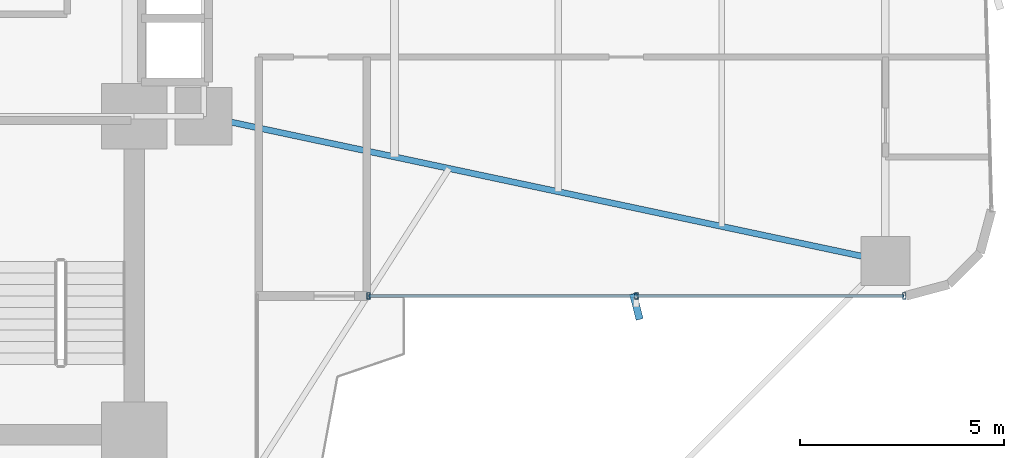
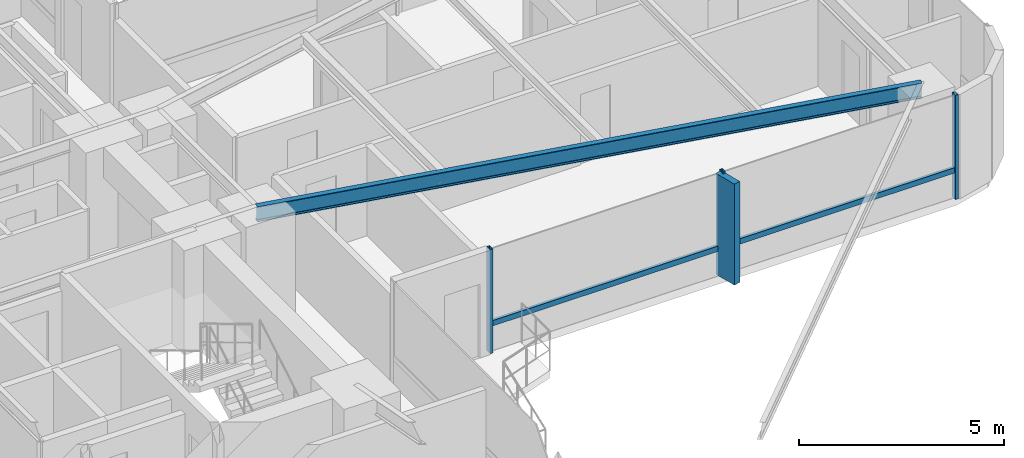
# One storey, part 14 of 26: 6 members, 1 beam, 1 element without a shape of its own.
"""IFC4 building model written with IfcOpenShell, lengths in metres."""

import ifcopenshell
import ifcopenshell.guid

model = None  # the IFC model being written
_history = None  # IfcOwnerHistory: only IFC2X3 demands one
_inside = {}  # id of a spatial element -> (the spatial element, [elements in it])
_under = {}  # id of a project, library or spatial element -> (it, [spatial elements below it])
_declared = {}  # id of a project -> (the project, [libraries it declares])
_typed = {}  # id of a type object -> (the type object, [elements of that type])
_made_of = {}  # id of a material, layer set ... -> (it, [elements and type objects made of it])


def new_model(schema):
    """Start an empty IFC model of exactly this schema.

    Asked for "IFC4X3", IfcOpenShell would pick the latest addendum, in which some entities
    have other attributes; the version numbers below select the first issue.
    IFC2X3 requires an IfcOwnerHistory on every rooted entity: one is made here for all.
    """
    global model, _history
    if schema == "IFC4X3":
        model = ifcopenshell.file(schema_version=(4, 3, 0, 0))
    else:
        model = ifcopenshell.file(schema=schema)
    _inside.clear()
    _under.clear()
    _declared.clear()
    _typed.clear()
    _made_of.clear()
    _history = None
    if model.schema == "IFC2X3":
        org = make("IfcOrganization", Name="unknown")
        user = make(
            "IfcPersonAndOrganization",
            ThePerson=make("IfcPerson", FamilyName="unknown"),
            TheOrganization=org,
        )
        app = make(
            "IfcApplication",
            ApplicationDeveloper=org,
            Version="unknown",
            ApplicationFullName="unknown",
            ApplicationIdentifier="unknown",
        )
        _history = make(
            "IfcOwnerHistory",
            OwningUser=user,
            OwningApplication=app,
            ChangeAction="ADDED",
            CreationDate=0,
        )
    return model


def make(cls, **values):
    """One entity of the class cls with the attributes given. An attribute that is None is left unset."""
    return model.create_entity(
        cls, **{name: value for name, value in values.items() if value is not None}
    )


def rooted(cls, **values):
    """An entity with a GlobalId (a new one), such as an element, a storey or a relation."""
    return make(cls, GlobalId=ifcopenshell.guid.new(), OwnerHistory=_history, **values)


def si_unit(unit_type, name, prefix=None):
    """IfcSIUnit, for example si_unit("LENGTHUNIT", "METRE", prefix="MILLI")."""
    return make("IfcSIUnit", UnitType=unit_type, Prefix=prefix, Name=name)


def assignment(units):
    """IfcUnitAssignment: the units of a project."""
    return None if units is None else make("IfcUnitAssignment", Units=units)


def point(xyz):
    """IfcCartesianPoint."""
    return None if xyz is None else make("IfcCartesianPoint", Coordinates=xyz)


def direction(xyz):
    """IfcDirection."""
    return None if xyz is None else make("IfcDirection", DirectionRatios=xyz)


def frame(location, z_axis=None, x_axis=None):
    """IfcAxis2Placement3D, a coordinate frame: its origin and axes. An axis left out is left unset."""
    return make(
        "IfcAxis2Placement3D",
        Location=point(location),
        Axis=direction(z_axis),
        RefDirection=direction(x_axis),
    )


def frame_2d(location, x_axis=None):
    """IfcAxis2Placement2D, a coordinate frame in the plane: its origin and x axis."""
    return make(
        "IfcAxis2Placement2D", Location=point(location), RefDirection=direction(x_axis)
    )


def origin():
    """The frame at (0, 0, 0) with its axes left unset."""
    return frame((0.0, 0.0, 0.0))


def origin_2d():
    """The frame at (0, 0) in the plane with its x axis left unset."""
    return frame_2d((0.0, 0.0))


def place(relative_to, where):
    """IfcLocalPlacement: puts the frame where relative to a parent placement (None: the world)."""
    return make(
        "IfcLocalPlacement", PlacementRelTo=relative_to, RelativePlacement=where
    )


def context(
    kind, dimensions, precision=None, world=None, true_north=None, identifier=None
):
    """IfcGeometricRepresentationContext, for example the 3D "Model" context."""
    return make(
        "IfcGeometricRepresentationContext",
        ContextIdentifier=identifier,
        ContextType=kind,
        CoordinateSpaceDimension=dimensions,
        Precision=precision,
        WorldCoordinateSystem=world,
        TrueNorth=true_north,
    )


def subcontext(parent, identifier, kind, view, scale=None):
    """IfcGeometricRepresentationSubContext, for example "Body" below "Model"."""
    return make(
        "IfcGeometricRepresentationSubContext",
        ContextIdentifier=identifier,
        ContextType=kind,
        ParentContext=parent,
        TargetScale=scale,
        TargetView=view,
    )


def project(units=None, contexts=None):
    """IfcProject with its units and contexts."""
    return rooted(
        "IfcProject",
        Name="project",
        RepresentationContexts=contexts,
        UnitsInContext=assignment(units),
    )


def spatial(cls, under=None, at=None, **own):
    """A site, building, storey or space (cls), placed at a placement, below another one or the project."""
    s = rooted(cls, ObjectPlacement=at, **own)
    if under is not None:
        _under.setdefault(under.id(), (under, []))[1].append(s)
    return s


def profile(cls, at=None, kind="AREA", **sizes):
    """A parametric profile (cls). Its sizes go by their IFC names, for example OverallWidth=200.0."""
    return make(cls, ProfileType=kind, Position=at, **sizes)


def rectangle(**sizes):
    """IfcRectangleProfileDef."""
    return profile("IfcRectangleProfileDef", **sizes)


def hollow_rectangle(**sizes):
    """IfcRectangleHollowProfileDef."""
    return profile("IfcRectangleHollowProfileDef", **sizes)


def i_section(**sizes):
    """IfcIShapeProfileDef."""
    return profile("IfcIShapeProfileDef", **sizes)


def extrude(swept, where, along, depth):
    """IfcExtrudedAreaSolid: the profile swept, set in the frame where, extruded along a direction by depth."""
    return make(
        "IfcExtrudedAreaSolid",
        SweptArea=swept,
        Position=where,
        ExtrudedDirection=direction(along),
        Depth=depth,
    )


def shape(context_of_items, identifier, shape_type, items):
    """IfcShapeRepresentation: the items that make up one representation, for example the "Body"."""
    return make(
        "IfcShapeRepresentation",
        ContextOfItems=context_of_items,
        RepresentationIdentifier=identifier,
        RepresentationType=shape_type,
        Items=items,
    )


def source(mapping_origin, context_of_items, identifier, shape_type, items):
    """IfcRepresentationMap: a shape defined once, which mapped items show again and again."""
    return make(
        "IfcRepresentationMap",
        MappingOrigin=mapping_origin,
        MappedRepresentation=shape(context_of_items, identifier, shape_type, items),
    )


def transform(
    local_origin,
    x_axis=None,
    y_axis=None,
    z_axis=None,
    scale=None,
    scale2=None,
    scale3=None,
    uniform=True,
):
    """IfcCartesianTransformationOperator3D, or its non-uniform kind. x_axis, y_axis, z_axis: its Axis1, 2, 3."""
    if uniform:
        return make(
            "IfcCartesianTransformationOperator3D",
            Axis1=direction(x_axis),
            Axis2=direction(y_axis),
            LocalOrigin=point(local_origin),
            Scale=scale,
            Axis3=direction(z_axis),
        )
    return make(
        "IfcCartesianTransformationOperator3DnonUniform",
        Axis1=direction(x_axis),
        Axis2=direction(y_axis),
        LocalOrigin=point(local_origin),
        Scale=scale,
        Axis3=direction(z_axis),
        Scale2=scale2,
        Scale3=scale3,
    )


def mapped(mapping_source, mapping_target):
    """IfcMappedItem: shows the shape of a source again, moved by a transform."""
    return make(
        "IfcMappedItem", MappingSource=mapping_source, MappingTarget=mapping_target
    )


def material(Name=None, Category=None):
    """IfcMaterial."""
    return make("IfcMaterial", Name=Name, Category=Category)


def material_profile(
    of_material, cross_section, Name=None, Category=None, Priority=None
):
    """IfcMaterialProfile: a cross section and its material."""
    return make(
        "IfcMaterialProfile",
        Name=Name,
        Material=of_material,
        Profile=cross_section,
        Priority=Priority,
        Category=Category,
    )


def profile_set(profiles, Name=None, composite=None):
    """IfcMaterialProfileSet."""
    return make(
        "IfcMaterialProfileSet",
        Name=Name,
        MaterialProfiles=profiles,
        CompositeProfile=composite,
    )


def made_of(thing, what):
    """Note that an element or type object is made of a material, layer set ...; save() writes the relation."""
    if what is not None:
        _made_of.setdefault(what.id(), (what, []))[1].append(thing)
    return thing


def type_object(cls, material=None, **own):
    """A type object (cls), such as IfcWallType, which elements share."""
    return made_of(rooted(cls, **own), material)


def element(
    cls,
    number,
    at=None,
    inside=None,
    cuts=None,
    type_object=None,
    material=None,
    context=None,
    identifier="Body",
    shape_type=None,
    held_by="IfcProductDefinitionShape",
    body=None,
    shapes=None,
    **own,
):
    """One element of the class cls, such as IfcWall. Its Tag is "e" and its number.

    at: its placement. inside: the storey or other place that contains it. cuts: it is an
    opening in that element (IfcRelVoidsElement). A single representation is given by context,
    identifier, shape_type and body (its items); several are given by shapes. held_by: the class
    of the entity that holds the representations. save() writes the other relations.
    """
    e = rooted(cls, Tag="e%d" % number, ObjectPlacement=at, **own)
    if body is not None:
        shapes = [shape(context, identifier, shape_type, body)]
    if shapes is not None:
        e.Representation = make(held_by, Representations=shapes)
    if inside is not None:
        _inside.setdefault(inside.id(), (inside, []))[1].append(e)
    if cuts is not None:
        rooted(
            "IfcRelVoidsElement", RelatingBuildingElement=cuts, RelatedOpeningElement=e
        )
    if type_object is not None:
        _typed.setdefault(type_object.id(), (type_object, []))[1].append(e)
    return made_of(e, material)


def aggregate(whole, parts):
    """IfcRelAggregates: a whole, such as a stair, and the parts it consists of."""
    return rooted("IfcRelAggregates", RelatingObject=whole, RelatedObjects=parts)


def save(model, path):
    """Write the relations noted so far, then the file.

    IfcRelAggregates (storeys below a building ...), IfcRelContainedInSpatialStructure (elements
    in a storey), IfcRelDefinesByType, IfcRelAssociatesMaterial and IfcRelDeclares: one each for
    every whole, place, type object, material and project.
    """
    for whole, parts in _under.values():
        aggregate(whole, parts)
    for where, things in _inside.values():
        rooted(
            "IfcRelContainedInSpatialStructure",
            RelatedElements=things,
            RelatingStructure=where,
        )
    for kind, things in _typed.values():
        rooted("IfcRelDefinesByType", RelatedObjects=things, RelatingType=kind)
    for what, things in _made_of.values():
        rooted("IfcRelAssociatesMaterial", RelatedObjects=things, RelatingMaterial=what)
    for by, libraries in _declared.values():
        rooted("IfcRelDeclares", RelatingContext=by, RelatedDefinitions=libraries)
    model.write(path)


model = new_model("IFC4")

# Units and contexts
model_context = context("Model", 3, precision=1e-05, world=origin(), true_north=direction((0.0, 1.0)))
body_context = subcontext(model_context, "Body", "Model", "MODEL_VIEW")
ifc_project = project(units=[si_unit("LENGTHUNIT", "METRE"), si_unit("AREAUNIT", "SQUARE_METRE"), si_unit("VOLUMEUNIT", "CUBIC_METRE"), si_unit("PLANEANGLEUNIT", "RADIAN"), si_unit("MASSUNIT", "GRAM", prefix="KILO")], contexts=[model_context])

# Site, building, storey
site_placement = place(None, origin())
site = spatial("IfcSite", under=ifc_project, at=site_placement, CompositionType="ELEMENT")
building_placement = place(site_placement, origin())
building = spatial("IfcBuilding", under=site, at=building_placement, Name="Sahyath Konkavel Grand Hotel", CompositionType="ELEMENT")
storey_placement = place(building_placement, frame((0.0, 0.0, 51.050048828125)))
storey = spatial("IfcBuildingStorey", under=building, at=storey_placement, Name="L13", CompositionType="ELEMENT", Elevation=51.050048828125)

# Beam
ifc_material_1 = material(Name="Steel E350", Category="steel")
ifc_material_profile_1 = material_profile(ifc_material_1, i_section(OverallWidth=0.14990234375, OverallDepth=0.449951171875, WebThickness=0.009521484375, FlangeThickness=0.017333984375, FilletRadius=0.014892578125, at=origin_2d()), Name="ISMB 450")
ifc_profile_set_1 = profile_set([ifc_material_profile_1], Name="Steel E350")
beam_type = type_object("IfcBeamType", Name="BM-ISMB450", PredefinedType="BEAM", material=ifc_profile_set_1)
shared_shape_1 = source(origin(), body_context, "Body", "SweptSolid", [
    extrude(i_section(OverallWidth=0.14990234375, OverallDepth=0.449951171875, WebThickness=0.009521484375, FlangeThickness=0.017333984375, FilletRadius=0.014892578125, at=origin_2d()), origin(), (0.0, 0.0, 1.0), 17.072998046875),
])
beam_placement = place(storey_placement, frame((5.5, -2.39990234375, 2.885009765625), z_axis=(0.978143257225, -0.20793212437, 0.0), x_axis=(0.20793212437, 0.978143257225, 0.0)))
element("IfcBeam", 1, at=beam_placement, inside=storey, type_object=beam_type, Name="L13 Cruciform Radial Girder EA", PredefinedType="BEAM", context=body_context, shape_type="MappedRepresentation", body=[
    mapped(shared_shape_1, transform((0.0, 0.0, 0.0), scale=1.0)),
])

# Curtain wall, members
ifc_material_2 = material(Name="Anodised Bronze Aluminium & Low-E Glazing", Category="aluminium")
curtain_wall_type = type_object("IfcCurtainWallType", Name="CW-ZONE1", PredefinedType="NOTDEFINED", material=ifc_material_2)
curtain_wall_placement = place(storey_placement, origin())
curtain_wall = element("IfcCurtainWall", 2, at=curtain_wall_placement, inside=storey, type_object=curtain_wall_type, Name="L13 Unitised Curtain Wall F0", PredefinedType="NOTDEFINED")
ifc_material_3 = material(Name="Anodised Bronze Aluminium", Category="aluminium")
ifc_material_profile_2 = material_profile(ifc_material_3, hollow_rectangle(XDim=0.080078125, YDim=0.159912109375, WallThickness=0.006103515625, at=origin_2d()), Name="RHS 160x80x6")
ifc_profile_set_2 = profile_set([ifc_material_profile_2], Name="Anodised Bronze Aluminium")
member_type_1 = type_object("IfcMemberType", Name="CW-MUL-160", PredefinedType="MULLION", material=ifc_profile_set_2)
shared_shape_2 = source(origin(), body_context, "Body", "SweptSolid", [
    extrude(hollow_rectangle(XDim=0.080078125, YDim=0.159912109375, WallThickness=0.006103515625, at=origin_2d()), origin(), (0.0, 0.0, 1.0), 3.10986328125),
])
member_1_placement = place(storey_placement, frame((9.5400390625, -6.800048828125, 0.0), z_axis=(0.0, 0.0, 1.0), x_axis=(1.0, 0.0, 0.0)))
member_1 = element("IfcMember", 3, at=member_1_placement, type_object=member_type_1, Name="L13 Curtain Wall Mullion F0-0", PredefinedType="MULLION", context=body_context, shape_type="MappedRepresentation", body=[
    mapped(shared_shape_2, transform((0.0, 0.0, 0.0), scale=1.0)),
])
member_2_placement = place(storey_placement, frame((16.10009765625, -6.800048828125, 0.0), z_axis=(0.0, 0.0, 1.0), x_axis=(1.0, 0.0, 0.0)))
member_2 = element("IfcMember", 4, at=member_2_placement, type_object=member_type_1, Name="L13 Curtain Wall Mullion F0-1", PredefinedType="MULLION", context=body_context, shape_type="MappedRepresentation", body=[
    mapped(shared_shape_2, transform((0.0, 0.0, 0.0), scale=1.0)),
])
member_3_placement = place(storey_placement, frame((22.659912109375, -6.800048828125, 0.0), z_axis=(0.0, 0.0, 1.0), x_axis=(1.0, 0.0, 0.0)))
member_3 = element("IfcMember", 5, at=member_3_placement, type_object=member_type_1, Name="L13 Curtain Wall Mullion F0-2", PredefinedType="MULLION", context=body_context, shape_type="MappedRepresentation", body=[
    mapped(shared_shape_2, transform((0.0, 0.0, 0.0), scale=1.0)),
])
ifc_material_4 = material(Name="Warm Buff Sandstone Cladding on Concrete C50/60", Category="masonry")
ifc_material_profile_3 = material_profile(ifc_material_4, rectangle(XDim=0.179931640625, YDim=0.64990234375, at=origin_2d()), Name="FIN 180x650")
ifc_profile_set_3 = profile_set([ifc_material_profile_3], Name="Warm Buff Sandstone Cladding on Concrete C50/60")
member_type_2 = type_object("IfcMemberType", Name="FIN-SANDSTONE-650", PredefinedType="MULLION", material=ifc_profile_set_3)
shared_shape_3 = source(origin(), body_context, "Body", "SweptSolid", [
    extrude(rectangle(XDim=0.179931640625, YDim=0.64990234375, at=origin_2d()), origin(), (0.0, 0.0, 1.0), 3.010009765625),
])
member_4_placement = place(storey_placement, frame((16.10009765625, -7.06005859375, 0.050048828125), z_axis=(0.0, 0.0, 1.0), x_axis=(0.969359662404, 0.245645771192, 0.0)))
member_4 = element("IfcMember", 6, at=member_4_placement, type_object=member_type_2, Name="L13 Sandstone Vertical Solar Fin FIN F0-1", PredefinedType="MULLION", context=body_context, shape_type="MappedRepresentation", body=[
    mapped(shared_shape_3, transform((0.0, 0.0, 0.0), scale=1.0)),
])
ifc_material_profile_4 = material_profile(ifc_material_3, hollow_rectangle(XDim=0.080078125, YDim=0.159912109375, WallThickness=0.006103515625, at=origin_2d()), Name="RHS 160x80x6")
ifc_profile_set_4 = profile_set([ifc_material_profile_4], Name="Anodised Bronze Aluminium")
member_type_3 = type_object("IfcMemberType", Name="CW-TRN-160", PredefinedType="USERDEFINED", material=ifc_profile_set_4)
shared_shape_4 = source(origin(), body_context, "Body", "SweptSolid", [
    extrude(hollow_rectangle(XDim=0.080078125, YDim=0.159912109375, WallThickness=0.006103515625, at=origin_2d()), origin(), (0.0, 0.0, 1.0), 6.56005859375),
])
member_5_placement = place(storey_placement, frame((9.5400390625, -6.800048828125, 0.849853515625), z_axis=(1.0, 0.0, 0.0), x_axis=(0.0, 1.0, 0.0)))
member_5 = element("IfcMember", 7, at=member_5_placement, type_object=member_type_3, Name="L13 Curtain Wall Transom F0-0-spandrel", ObjectType="TRANSOM", PredefinedType="USERDEFINED", context=body_context, shape_type="MappedRepresentation", body=[
    mapped(shared_shape_4, transform((0.0, 0.0, 0.0), scale=1.0)),
])
shared_shape_5 = source(origin(), body_context, "Body", "SweptSolid", [
    extrude(hollow_rectangle(XDim=0.080078125, YDim=0.159912109375, WallThickness=0.006103515625, at=origin_2d()), origin(), (0.0, 0.0, 1.0), 6.559814453125),
])
member_6_placement = place(storey_placement, frame((16.10009765625, -6.800048828125, 0.849853515625), z_axis=(1.0, 0.0, 0.0), x_axis=(0.0, 1.0, 0.0)))
member_6 = element("IfcMember", 8, at=member_6_placement, type_object=member_type_3, Name="L13 Curtain Wall Transom F0-1-spandrel", ObjectType="TRANSOM", PredefinedType="USERDEFINED", context=body_context, shape_type="MappedRepresentation", body=[
    mapped(shared_shape_5, transform((0.0, 0.0, 0.0), scale=1.0)),
])
aggregate(curtain_wall, [member_1, member_2, member_4, member_3, member_5, member_6])

save(model, "model.ifc")
